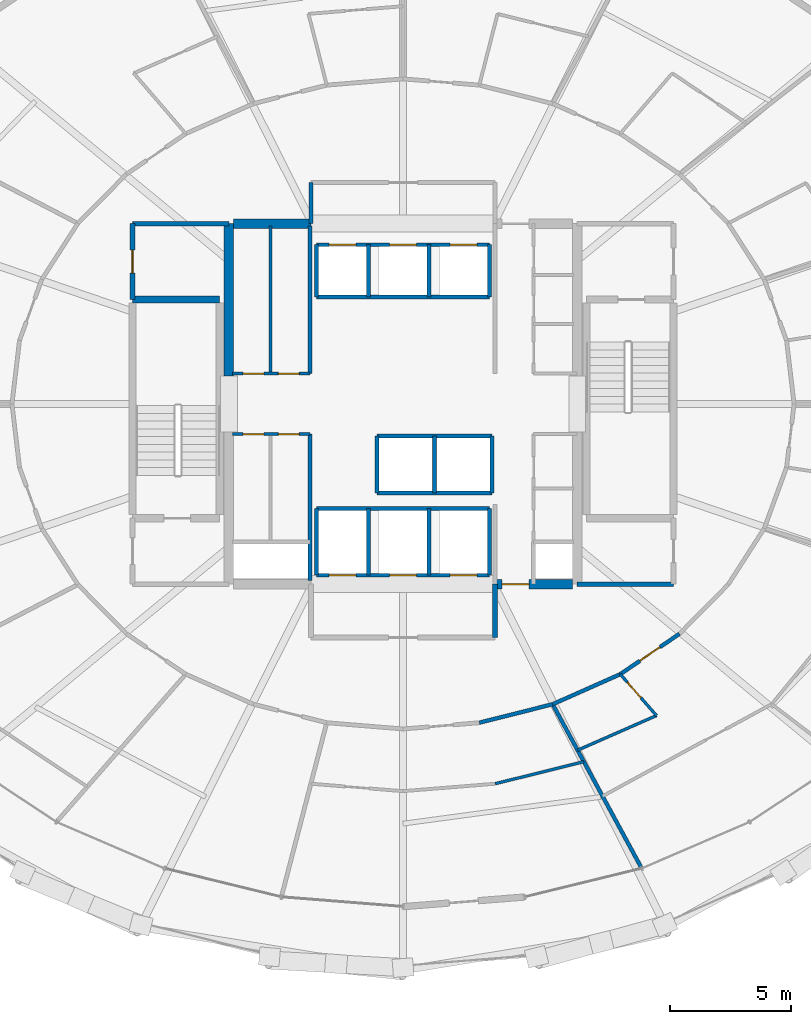
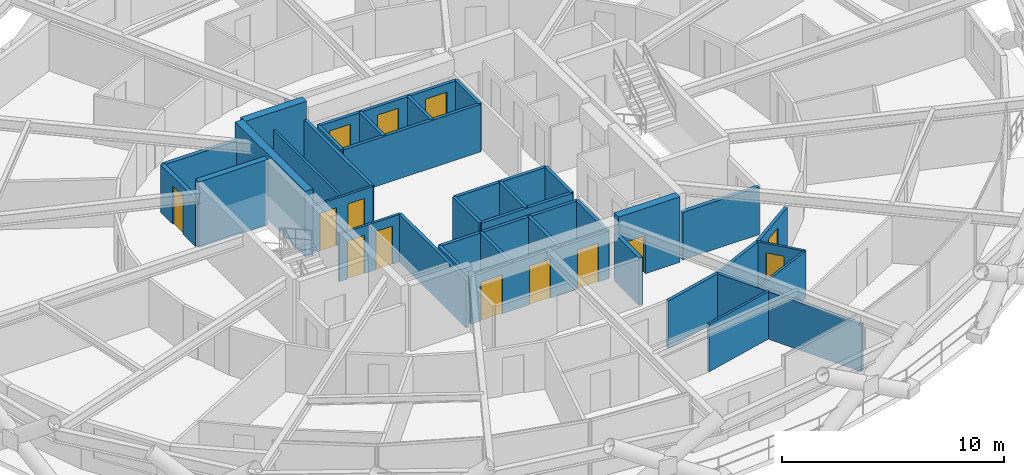
# One storey, part 15 of 20: 38 walls, 14 doors, 14 openings.
"""IFC4 building model written with IfcOpenShell, lengths in metres."""

from ifc_helpers import new_model, si_unit, direction, frame, frame_2d, origin, place, context, subcontext, project, spatial, rectangle, extrude, material, layer, layer_set, type_object, element, fill, save


model = new_model("IFC4")

# Units and contexts
model_context = context("Model", 3, precision=1e-05, world=origin(), true_north=direction((0.0, 1.0)))
body_context = subcontext(model_context, "Body", "Model", "MODEL_VIEW")
ifc_project = project(units=[si_unit("LENGTHUNIT", "METRE"), si_unit("AREAUNIT", "SQUARE_METRE"), si_unit("VOLUMEUNIT", "CUBIC_METRE"), si_unit("PLANEANGLEUNIT", "RADIAN"), si_unit("MASSUNIT", "GRAM", prefix="KILO")], contexts=[model_context])

# Site, building, storey
site_placement = place(None, origin())
site = spatial("IfcSite", under=ifc_project, at=site_placement, CompositionType="ELEMENT")
building_placement = place(site_placement, origin())
building = spatial("IfcBuilding", under=site, at=building_placement, Name="Veldorina Hangang Commons", CompositionType="ELEMENT")
storey_placement = place(building_placement, frame((0.0, 0.0, 48.39990234375)))
storey = spatial("IfcBuildingStorey", under=building, at=storey_placement, Name="L11", CompositionType="ELEMENT", Elevation=48.39990234375)

# Wall
ifc_material_1 = material(Name="Concrete C70/85", Category="concrete")
ifc_layer_1 = layer(ifc_material_1, 0.39990234375)
ifc_layer_set_1 = layer_set([ifc_layer_1], Name="Concrete C70/85")
wall_type_1 = type_object("IfcWallType", Name="CW-RC400-C70", PredefinedType="SHEAR", material=ifc_layer_set_1)
wall_1_placement = place(storey_placement, frame((24.800048828125, 25.14990234375, 0.0), z_axis=(0.0, 0.0, 1.0), x_axis=(0.0, 1.0, 0.0)))
element("IfcWall", 1, at=wall_1_placement, inside=storey, type_object=wall_type_1, Name="L11 W north core shear wall", PredefinedType="SHEAR", context=body_context, shape_type="SweptSolid", body=[
    extrude(rectangle(XDim=6.300048828125, YDim=0.39990234375, at=frame_2d((3.14990234375, 0.0))), origin(), (0.0, 0.0, 1.0), 3.60009765625),
])

# Wall, opening, door
wall_2_placement = place(storey_placement, frame((35.800048828125, 16.550048828125, 0.0), z_axis=(0.0, 0.0, 1.0), x_axis=(1.0, 0.0, 0.0)))
wall_2 = element("IfcWall", 2, at=wall_2_placement, inside=storey, type_object=wall_type_1, Name="L11 south-east core shear wall", PredefinedType="SHEAR", context=body_context, shape_type="SweptSolid", body=[
    extrude(rectangle(XDim=3.199951171875, YDim=0.39990234375, at=frame_2d((1.60009765625, 0.0))), origin(), (0.0, 0.0, 1.0), 3.60009765625),
])
opening_1_placement = place(wall_2_placement, frame((0.300048828125, 0.0, 0.0)))
opening_1 = element("IfcOpeningElement", 3, at=opening_1_placement, cuts=wall_2, Name="Opening D-08", PredefinedType="OPENING", context=body_context, shape_type="SweptSolid", body=[
    extrude(rectangle(XDim=1.10009765625, YDim=2.10009765625, at=frame_2d((0.550048828125, 1.050048828125))), frame((0.0, 0.2099609375, 0.0), z_axis=(0.0, -1.0, 0.0), x_axis=(1.0, 0.0, 0.0)), (0.0, 0.0, 1.0), 0.419921875),
])
ifc_material_2 = material(Name="Steel Fire-Rated Smoke Seal", Category="steel")
door_type_1 = type_object("IfcDoorType", Name="DR-FIRE-1100", OperationType="SINGLE_SWING_RIGHT", PredefinedType="DOOR", material=ifc_material_2)
door_1_placement = place(opening_1_placement, origin())
door_1 = element("IfcDoor", 4, at=door_1_placement, inside=storey, type_object=door_type_1, Name="L11 central lift lobby south corridor door", OperationType="SINGLE_SWING_RIGHT", OverallHeight=2.10009765625, OverallWidth=1.10009765625, PredefinedType="DOOR", context=body_context, shape_type="SweptSolid", body=[
    extrude(rectangle(XDim=1.10009765625, YDim=2.10009765625, at=frame_2d((0.550048828125, 1.050048828125))), frame((0.0, 0.02490234375, 0.0), z_axis=(0.0, -1.0, 0.0), x_axis=(1.0, 0.0, 0.0)), (0.0, 0.0, 1.0), 0.050048828125),
])
fill(opening_1, door_1)

# Walls
wall_3_placement = place(storey_placement, frame((25.0, 31.449951171875, 0.0), z_axis=(0.0, 0.0, 1.0), x_axis=(1.0, 0.0, 0.0)))
element("IfcWall", 5, at=wall_3_placement, inside=storey, type_object=wall_type_1, Name="L11 north-west core shear wall", PredefinedType="SHEAR", context=body_context, shape_type="SweptSolid", body=[
    extrude(rectangle(XDim=3.199951171875, YDim=0.39990234375, at=frame_2d((1.60009765625, 0.0))), origin(), (0.0, 0.0, 1.0), 3.60009765625),
])
ifc_material_3 = material(Name="Concrete C50/60", Category="concrete")
ifc_layer_2 = layer(ifc_material_3, 0.300048828125)
ifc_layer_set_2 = layer_set([ifc_layer_2], Name="Concrete C50/60")
wall_type_2 = type_object("IfcWallType", Name="SW-STAIR-300", PredefinedType="SHEAR", material=ifc_layer_set_2)
wall_4_placement = place(storey_placement, frame((20.820068359375, 28.320068359375, 0.0), z_axis=(0.0, 0.0, 1.0), x_axis=(1.0, 0.0, 0.0)))
element("IfcWall", 6, at=wall_4_placement, inside=storey, type_object=wall_type_2, Name="L11 ST1 north stair shear wall", PredefinedType="SHEAR", context=body_context, shape_type="SweptSolid", body=[
    extrude(rectangle(XDim=3.599853515625, YDim=0.300048828125, at=frame_2d((1.7998046875, 0.0))), origin(), (0.0, 0.0, 1.0), 3.60009765625),
])

# Wall, openings, doors
ifc_material_4 = material(Name="Gypsum Fire-Rated Twin Stud Wall", Category="gypsum")
ifc_layer_3 = layer(ifc_material_4, 0.159912109375)
ifc_layer_set_3 = layer_set([ifc_layer_3], Name="Gypsum Fire-Rated Twin Stud Wall")
wall_type_3 = type_object("IfcWallType", Name="WL-FIRE-160", PredefinedType="SOLIDWALL", material=ifc_layer_set_3)
wall_5_placement = place(storey_placement, frame((28.419921875, 30.580078125, 0.0), z_axis=(0.0, 0.0, 1.0), x_axis=(1.0, 0.0, 0.0)))
wall_5 = element("IfcWall", 7, at=wall_5_placement, inside=storey, type_object=wall_type_3, Name="L11 Low-bank front shaft wall 015", PredefinedType="SOLIDWALL", context=body_context, shape_type="SweptSolid", body=[
    extrude(rectangle(XDim=7.16015625, YDim=0.159912109375, at=frame_2d((3.580078125, 0.0))), origin(), (0.0, 0.0, 1.0), 2.610107421875),
])
opening_2_placement = place(wall_5_placement, frame((0.530029296875, 0.0, 0.0)))
opening_2 = element("IfcOpeningElement", 8, at=opening_2_placement, cuts=wall_5, Name="Opening LD-01", PredefinedType="OPENING", context=body_context, shape_type="SweptSolid", body=[
    extrude(rectangle(XDim=1.10009765625, YDim=2.14990234375, at=frame_2d((0.550048828125, 1.074951171875))), frame((0.0, 0.08984375, 0.0), z_axis=(0.0, -1.0, 0.0), x_axis=(1.0, 0.0, 0.0)), (0.0, 0.0, 1.0), 0.179931640625),
])
opening_3_placement = place(wall_5_placement, frame((3.030029296875, 0.0, 0.0)))
opening_3 = element("IfcOpeningElement", 9, at=opening_3_placement, cuts=wall_5, Name="Opening LD-01", PredefinedType="OPENING", context=body_context, shape_type="SweptSolid", body=[
    extrude(rectangle(XDim=1.10009765625, YDim=2.14990234375, at=frame_2d((0.550048828125, 1.074951171875))), frame((0.0, 0.08984375, 0.0), z_axis=(0.0, -1.0, 0.0), x_axis=(1.0, 0.0, 0.0)), (0.0, 0.0, 1.0), 0.179931640625),
])
opening_4_placement = place(wall_5_placement, frame((5.530029296875, 0.0, 0.0)))
opening_4 = element("IfcOpeningElement", 10, at=opening_4_placement, cuts=wall_5, Name="Opening LD-01", PredefinedType="OPENING", context=body_context, shape_type="SweptSolid", body=[
    extrude(rectangle(XDim=1.10009765625, YDim=2.14990234375, at=frame_2d((0.550048828125, 1.074951171875))), frame((0.0, 0.08984375, 0.0), z_axis=(0.0, -1.0, 0.0), x_axis=(1.0, 0.0, 0.0)), (0.0, 0.0, 1.0), 0.179931640625),
])
ifc_material_5 = material(Name="Stainless Steel Brushed Lift Door", Category="steel")
door_type_2 = type_object("IfcDoorType", Name="DR-LIFT-1100", OperationType="SLIDING_TO_LEFT", PredefinedType="DOOR", material=ifc_material_5)
door_2_placement = place(opening_2_placement, origin())
door_2 = element("IfcDoor", 11, at=door_2_placement, inside=storey, type_object=door_type_2, Name="L11 Lift PL-L1 landing door 006", OperationType="SLIDING_TO_LEFT", OverallHeight=2.14990234375, OverallWidth=1.10009765625, PredefinedType="DOOR", context=body_context, shape_type="SweptSolid", body=[
    extrude(rectangle(XDim=1.10009765625, YDim=2.14990234375, at=frame_2d((0.550048828125, 1.074951171875))), frame((0.0, 0.02490234375, 0.0), z_axis=(0.0, -1.0, 0.0), x_axis=(1.0, 0.0, 0.0)), (0.0, 0.0, 1.0), 0.050048828125),
])
fill(opening_2, door_2)
door_3_placement = place(opening_3_placement, origin())
door_3 = element("IfcDoor", 12, at=door_3_placement, inside=storey, type_object=door_type_2, Name="L11 Lift PL-L2 landing door 007", OperationType="SLIDING_TO_LEFT", OverallHeight=2.14990234375, OverallWidth=1.10009765625, PredefinedType="DOOR", context=body_context, shape_type="SweptSolid", body=[
    extrude(rectangle(XDim=1.10009765625, YDim=2.14990234375, at=frame_2d((0.550048828125, 1.074951171875))), frame((0.0, 0.02490234375, 0.0), z_axis=(0.0, -1.0, 0.0), x_axis=(1.0, 0.0, 0.0)), (0.0, 0.0, 1.0), 0.050048828125),
])
fill(opening_3, door_3)
door_4_placement = place(opening_4_placement, origin())
door_4 = element("IfcDoor", 13, at=door_4_placement, inside=storey, type_object=door_type_2, Name="L11 Lift PL-L3 landing door 008", OperationType="SLIDING_TO_LEFT", OverallHeight=2.14990234375, OverallWidth=1.10009765625, PredefinedType="DOOR", context=body_context, shape_type="SweptSolid", body=[
    extrude(rectangle(XDim=1.10009765625, YDim=2.14990234375, at=frame_2d((0.550048828125, 1.074951171875))), frame((0.0, 0.02490234375, 0.0), z_axis=(0.0, -1.0, 0.0), x_axis=(1.0, 0.0, 0.0)), (0.0, 0.0, 1.0), 0.050048828125),
])
fill(opening_4, door_4)

# Walls
wall_6_placement = place(storey_placement, frame((28.419921875, 28.419921875, 0.0), z_axis=(0.0, 0.0, 1.0), x_axis=(1.0, 0.0, 0.0)))
element("IfcWall", 14, at=wall_6_placement, inside=storey, type_object=wall_type_3, Name="L11 Low-bank rear shaft wall 016", PredefinedType="SOLIDWALL", context=body_context, shape_type="SweptSolid", body=[
    extrude(rectangle(XDim=7.16015625, YDim=0.159912109375, at=frame_2d((3.580078125, 0.0))), origin(), (0.0, 0.0, 1.0), 2.610107421875),
])
for number, where, z_axis, x_axis, name in (
    (15, (28.419921875, 28.419921875, 0.0), (0.0, 0.0, 1.0), (0.0, 1.0, 0.0), "L11 PL-L1 west shaft wall 017"),
    (16, (30.580078125, 28.419921875, 0.0), (0.0, 0.0, 1.0), (0.0, 1.0, 0.0), "L11 PL-L1 east shaft wall 018"),
    (17, (33.080078125, 28.419921875, 0.0), (0.0, 0.0, 1.0), (0.0, 1.0, 0.0), "L11 PL-L2 east shaft wall 019"),
    (18, (35.580078125, 28.419921875, 0.0), (0.0, 0.0, 1.0), (0.0, 1.0, 0.0), "L11 PL-L3 east shaft wall 020"),
):
    element("IfcWall", number, at=place(storey_placement, frame(where, z_axis=z_axis, x_axis=x_axis)), inside=storey, type_object=wall_type_3, Name=name, PredefinedType="SOLIDWALL", context=body_context, shape_type="SweptSolid", body=[
        extrude(rectangle(XDim=2.16015625, YDim=0.159912109375, at=frame_2d((1.080078125, 0.0))), origin(), (0.0, 0.0, 1.0), 2.610107421875),
    ])
for number, where, z_axis, x_axis, name in (
    (19, (30.919921875, 22.679931640625, 0.0), (0.0, 0.0, 1.0), (1.0, 0.0, 0.0), "L11 Shuttle-high front shaft wall 021"),
    (20, (30.919921875, 20.320068359375, 0.0), (0.0, 0.0, 1.0), (1.0, 0.0, 0.0), "L11 Shuttle-high rear shaft wall 022"),
):
    element("IfcWall", number, at=place(storey_placement, frame(where, z_axis=z_axis, x_axis=x_axis)), inside=storey, type_object=wall_type_3, Name=name, PredefinedType="SOLIDWALL", context=body_context, shape_type="SweptSolid", body=[
        extrude(rectangle(XDim=4.760009765625, YDim=0.159912109375, at=frame_2d((2.3798828125, 0.0))), origin(), (0.0, 0.0, 1.0), 2.610107421875),
    ])
for number, where, z_axis, x_axis, name in (
    (21, (30.919921875, 20.320068359375, 0.0), (0.0, 0.0, 1.0), (0.0, 1.0, 0.0), "L11 SL-1 west shaft wall 023"),
    (22, (33.300048828125, 20.320068359375, 0.0), (0.0, 0.0, 1.0), (0.0, 1.0, 0.0), "L11 SL-1 east shaft wall 024"),
    (23, (35.679931640625, 20.320068359375, 0.0), (0.0, 0.0, 1.0), (0.0, 1.0, 0.0), "L11 SL-2 east shaft wall 025"),
):
    element("IfcWall", number, at=place(storey_placement, frame(where, z_axis=z_axis, x_axis=x_axis)), inside=storey, type_object=wall_type_3, Name=name, PredefinedType="SOLIDWALL", context=body_context, shape_type="SweptSolid", body=[
        extrude(rectangle(XDim=2.35986328125, YDim=0.159912109375, at=frame_2d((1.179931640625, 0.0))), origin(), (0.0, 0.0, 1.0), 2.610107421875),
    ])

# Wall, openings, doors
wall_7_placement = place(storey_placement, frame((28.419921875, 16.919921875, 0.0), z_axis=(0.0, 0.0, 1.0), x_axis=(1.0, 0.0, 0.0)))
wall_7 = element("IfcWall", 24, at=wall_7_placement, inside=storey, type_object=wall_type_3, Name="L11 Emergency front shaft wall 026", PredefinedType="SOLIDWALL", context=body_context, shape_type="SweptSolid", body=[
    extrude(rectangle(XDim=7.16015625, YDim=0.159912109375, at=frame_2d((3.580078125, 0.0))), origin(), (0.0, 0.0, 1.0), 2.610107421875),
])
opening_5_placement = place(wall_7_placement, frame((0.530029296875, 0.0, 0.0)))
opening_5 = element("IfcOpeningElement", 25, at=opening_5_placement, cuts=wall_7, Name="Opening LD-03", PredefinedType="OPENING", context=body_context, shape_type="SweptSolid", body=[
    extrude(rectangle(XDim=1.10009765625, YDim=2.14990234375, at=frame_2d((0.550048828125, 1.074951171875))), frame((0.0, 0.08984375, 0.0), z_axis=(0.0, -1.0, 0.0), x_axis=(1.0, 0.0, 0.0)), (0.0, 0.0, 1.0), 0.179931640625),
])
opening_6_placement = place(wall_7_placement, frame((3.030029296875, 0.0, 0.0)))
opening_6 = element("IfcOpeningElement", 26, at=opening_6_placement, cuts=wall_7, Name="Opening LD-03", PredefinedType="OPENING", context=body_context, shape_type="SweptSolid", body=[
    extrude(rectangle(XDim=1.10009765625, YDim=2.14990234375, at=frame_2d((0.550048828125, 1.074951171875))), frame((0.0, 0.08984375, 0.0), z_axis=(0.0, -1.0, 0.0), x_axis=(1.0, 0.0, 0.0)), (0.0, 0.0, 1.0), 0.179931640625),
])
opening_7_placement = place(wall_7_placement, frame((5.530029296875, 0.0, 0.0)))
opening_7 = element("IfcOpeningElement", 27, at=opening_7_placement, cuts=wall_7, Name="Opening LD-03", PredefinedType="OPENING", context=body_context, shape_type="SweptSolid", body=[
    extrude(rectangle(XDim=1.10009765625, YDim=2.14990234375, at=frame_2d((0.550048828125, 1.074951171875))), frame((0.0, 0.08984375, 0.0), z_axis=(0.0, -1.0, 0.0), x_axis=(1.0, 0.0, 0.0)), (0.0, 0.0, 1.0), 0.179931640625),
])
ifc_material_6 = material(Name="Stainless Steel Firefighting Lift Door", Category="steel")
door_type_3 = type_object("IfcDoorType", Name="DR-LIFT-FF1100", OperationType="SLIDING_TO_RIGHT", PredefinedType="DOOR", material=ifc_material_6)
door_5_placement = place(opening_5_placement, origin())
door_5 = element("IfcDoor", 28, at=door_5_placement, inside=storey, type_object=door_type_3, Name="L11 Emergency lift FFL-1 landing door 009", OperationType="SLIDING_TO_RIGHT", OverallHeight=2.14990234375, OverallWidth=1.10009765625, PredefinedType="DOOR", context=body_context, shape_type="SweptSolid", body=[
    extrude(rectangle(XDim=1.10009765625, YDim=2.14990234375, at=frame_2d((0.550048828125, 1.074951171875))), frame((0.0, 0.02490234375, 0.0), z_axis=(0.0, -1.0, 0.0), x_axis=(1.0, 0.0, 0.0)), (0.0, 0.0, 1.0), 0.050048828125),
])
fill(opening_5, door_5)
door_6_placement = place(opening_6_placement, origin())
door_6 = element("IfcDoor", 29, at=door_6_placement, inside=storey, type_object=door_type_3, Name="L11 Emergency lift FFL-2 landing door 010", OperationType="SLIDING_TO_RIGHT", OverallHeight=2.14990234375, OverallWidth=1.10009765625, PredefinedType="DOOR", context=body_context, shape_type="SweptSolid", body=[
    extrude(rectangle(XDim=1.10009765625, YDim=2.14990234375, at=frame_2d((0.550048828125, 1.074951171875))), frame((0.0, 0.02490234375, 0.0), z_axis=(0.0, -1.0, 0.0), x_axis=(1.0, 0.0, 0.0)), (0.0, 0.0, 1.0), 0.050048828125),
])
fill(opening_6, door_6)
door_7_placement = place(opening_7_placement, origin())
door_7 = element("IfcDoor", 30, at=door_7_placement, inside=storey, type_object=door_type_3, Name="L11 Emergency lift EVL-1 landing door 011", OperationType="SLIDING_TO_RIGHT", OverallHeight=2.14990234375, OverallWidth=1.10009765625, PredefinedType="DOOR", context=body_context, shape_type="SweptSolid", body=[
    extrude(rectangle(XDim=1.10009765625, YDim=2.14990234375, at=frame_2d((0.550048828125, 1.074951171875))), frame((0.0, 0.02490234375, 0.0), z_axis=(0.0, -1.0, 0.0), x_axis=(1.0, 0.0, 0.0)), (0.0, 0.0, 1.0), 0.050048828125),
])
fill(opening_7, door_7)

# Walls
wall_8_placement = place(storey_placement, frame((28.419921875, 19.679931640625, 0.0), z_axis=(0.0, 0.0, 1.0), x_axis=(1.0, 0.0, 0.0)))
element("IfcWall", 31, at=wall_8_placement, inside=storey, type_object=wall_type_3, Name="L11 Emergency rear shaft wall 027", PredefinedType="SOLIDWALL", context=body_context, shape_type="SweptSolid", body=[
    extrude(rectangle(XDim=7.16015625, YDim=0.159912109375, at=frame_2d((3.580078125, 0.0))), origin(), (0.0, 0.0, 1.0), 2.610107421875),
])
for number, where, z_axis, x_axis, name in (
    (32, (28.419921875, 16.919921875, 0.0), (0.0, 0.0, 1.0), (0.0, 1.0, 0.0), "L11 FFL-1 west shaft wall 028"),
    (33, (30.580078125, 16.919921875, 0.0), (0.0, 0.0, 1.0), (0.0, 1.0, 0.0), "L11 FFL-1 east shaft wall 029"),
    (34, (33.080078125, 16.919921875, 0.0), (0.0, 0.0, 1.0), (0.0, 1.0, 0.0), "L11 FFL-2 east shaft wall 030"),
    (35, (35.580078125, 16.919921875, 0.0), (0.0, 0.0, 1.0), (0.0, 1.0, 0.0), "L11 EVL-1 east shaft wall 031"),
):
    element("IfcWall", number, at=place(storey_placement, frame(where, z_axis=z_axis, x_axis=x_axis)), inside=storey, type_object=wall_type_3, Name=name, PredefinedType="SOLIDWALL", context=body_context, shape_type="SweptSolid", body=[
        extrude(rectangle(XDim=2.760009765625, YDim=0.159912109375, at=frame_2d((1.3798828125, 0.0))), origin(), (0.0, 0.0, 1.0), 2.610107421875),
    ])
wall_9_placement = place(storey_placement, frame((28.199951171875, 31.449951171875, 0.0), z_axis=(0.0, 0.0, 1.0), x_axis=(0.0, 1.0, 0.0)))
element("IfcWall", 36, at=wall_9_placement, inside=storey, type_object=wall_type_3, Name="L11 North lobby west wall 032", PredefinedType="SOLIDWALL", context=body_context, shape_type="SweptSolid", body=[
    extrude(rectangle(XDim=1.699951171875, YDim=0.159912109375, at=frame_2d((0.85009765625, 0.0))), origin(), (0.0, 0.0, 1.0), 2.610107421875),
])
wall_10_placement = place(storey_placement, frame((28.14990234375, 16.699951171875, 0.0), z_axis=(0.0, 0.0, 1.0), x_axis=(0.0, 1.0, 0.0)))
element("IfcWall", 37, at=wall_10_placement, inside=storey, type_object=wall_type_3, Name="L11 SW core inner wall 036", PredefinedType="SOLIDWALL", context=body_context, shape_type="SweptSolid", body=[
    extrude(rectangle(XDim=6.050048828125, YDim=0.159912109375, at=frame_2d((3.02490234375, 0.0))), origin(), (0.0, 0.0, 1.0), 2.610107421875),
])
wall_11_placement = place(storey_placement, frame((28.14990234375, 25.25, 0.0), z_axis=(0.0, 0.0, 1.0), x_axis=(0.0, 1.0, 0.0)))
element("IfcWall", 38, at=wall_11_placement, inside=storey, type_object=wall_type_3, Name="L11 NW core inner wall 038", PredefinedType="SOLIDWALL", context=body_context, shape_type="SweptSolid", body=[
    extrude(rectangle(XDim=6.10009765625, YDim=0.159912109375, at=frame_2d((3.050048828125, 0.0))), origin(), (0.0, 0.0, 1.0), 2.610107421875),
])
wall_12_placement = place(storey_placement, frame((35.153076171875, 10.82421875, 0.0), z_axis=(0.0, 0.0, 1.0), x_axis=(0.969653665365, 0.244482656326, 0.0)))
element("IfcWall", 39, at=wall_12_placement, inside=storey, type_object=wall_type_3, Name="L11 Corridor outer wall 25 075", PredefinedType="SOLIDWALL", context=body_context, shape_type="SweptSolid", body=[
    extrude(rectangle(XDim=3.126708984375, YDim=0.159912109375, at=frame_2d((1.5634765625, 0.0))), origin(), (0.0, 0.0, 1.0), 2.610107421875),
])
wall_13_placement = place(storey_placement, frame((38.184814453125, 11.588623046875, 0.0), z_axis=(0.0, 0.0, 1.0), x_axis=(0.913860932409, 0.406027334321, 0.0)))
element("IfcWall", 40, at=wall_13_placement, inside=storey, type_object=wall_type_3, Name="L11 Corridor outer wall 26 076", PredefinedType="SOLIDWALL", context=body_context, shape_type="SweptSolid", body=[
    extrude(rectangle(XDim=3.0576171875, YDim=0.159912109375, at=frame_2d((1.52880859375, 0.0))), origin(), (0.0, 0.0, 1.0), 2.610107421875),
])

# Wall, opening, door
wall_14_placement = place(storey_placement, frame((40.97900390625, 12.830078125, 0.0), z_axis=(0.0, 0.0, 1.0), x_axis=(0.826112340767, 0.563505457323, 0.0)))
wall_14 = element("IfcWall", 41, at=wall_14_placement, inside=storey, type_object=wall_type_3, Name="L11 Corridor outer wall 27 077", PredefinedType="SOLIDWALL", context=body_context, shape_type="SweptSolid", body=[
    extrude(rectangle(XDim=2.96484375, YDim=0.159912109375, at=frame_2d((1.482421875, 0.0))), origin(), (0.0, 0.0, 1.0), 2.610107421875),
])
opening_8_placement = place(wall_14_placement, frame((0.982421875, 0.0, 0.0)))
opening_8 = element("IfcOpeningElement", 42, at=opening_8_placement, cuts=wall_14, Name="Opening D-06", PredefinedType="OPENING", context=body_context, shape_type="SweptSolid", body=[
    extrude(rectangle(XDim=1.0, YDim=2.10009765625, at=frame_2d((0.5, 1.050048828125))), frame((0.0, 0.08984375, 0.0), z_axis=(0.0, -1.0, 0.0), x_axis=(1.0, 0.0, 0.0)), (0.0, 0.0, 1.0), 0.179931640625),
])
ifc_material_7 = material(Name="Timber Fire-Rated Entrance Core", Category="wood")
door_type_4 = type_object("IfcDoorType", Name="DR-UNIT-1000", OperationType="SINGLE_SWING_LEFT", PredefinedType="DOOR", material=ifc_material_7)
door_8_placement = place(opening_8_placement, origin())
door_8 = element("IfcDoor", 43, at=door_8_placement, inside=storey, type_object=door_type_4, Name="L11 Cluster 2 entrance door 025", OperationType="SINGLE_SWING_LEFT", OverallHeight=2.10009765625, OverallWidth=1.0, PredefinedType="DOOR", context=body_context, shape_type="SweptSolid", body=[
    extrude(rectangle(XDim=1.0, YDim=2.10009765625, at=frame_2d((0.5, 1.050048828125))), frame((0.0, 0.02490234375, 0.0), z_axis=(0.0, -1.0, 0.0), x_axis=(1.0, 0.0, 0.0)), (0.0, 0.0, 1.0), 0.050048828125),
])
fill(opening_8, door_8)

# Wall
wall_15_placement = place(storey_placement, frame((38.184814453125, 11.588623046875, 0.0), z_axis=(0.0, 0.0, 1.0), x_axis=(0.476776382482, -0.87902461917, 0.0)))
element("IfcWall", 44, at=wall_15_placement, inside=storey, type_object=wall_type_3, Name="L11 Unit party wall 26 086", PredefinedType="SOLIDWALL", context=body_context, shape_type="SweptSolid", body=[
    extrude(rectangle(XDim=7.668701171875, YDim=0.159912109375, at=frame_2d((3.83447265625, 0.0))), origin(), (0.0, 0.0, 1.0), 2.610107421875),
])

# Wall, opening, door
ifc_material_8 = material(Name="Concrete Blockwork Fire Wall C30/37", Category="masonry")
ifc_layer_4 = layer(ifc_material_8, 0.199951171875)
ifc_layer_set_4 = layer_set([ifc_layer_4], Name="Concrete Blockwork Fire Wall C30/37")
wall_type_4 = type_object("IfcWallType", Name="WL-FIRE-200", PredefinedType="SOLIDWALL", material=ifc_layer_set_4)
wall_16_placement = place(storey_placement, frame((20.820068359375, 28.320068359375, 0.0), z_axis=(0.0, 0.0, 1.0), x_axis=(0.0, 1.0, 0.0)))
wall_16 = element("IfcWall", 45, at=wall_16_placement, inside=storey, type_object=wall_type_4, Name="L11 NW core room outer wall 005", PredefinedType="SOLIDWALL", context=body_context, shape_type="SweptSolid", body=[
    extrude(rectangle(XDim=3.1298828125, YDim=0.199951171875, at=frame_2d((1.56494140625, 0.0))), origin(), (0.0, 0.0, 1.0), 2.610107421875),
])
opening_9_placement = place(wall_16_placement, frame((1.090087890625, 0.0, 0.0)))
opening_9 = element("IfcOpeningElement", 46, at=opening_9_placement, cuts=wall_16, Name="Opening D-04", PredefinedType="OPENING", context=body_context, shape_type="SweptSolid", body=[
    extrude(rectangle(XDim=0.949951171875, YDim=2.10009765625, at=frame_2d((0.47509765625, 1.050048828125))), frame((0.0, 0.10986328125, 0.0), z_axis=(0.0, -1.0, 0.0), x_axis=(1.0, 0.0, 0.0)), (0.0, 0.0, 1.0), 0.219970703125),
])
ifc_material_9 = material(Name="Timber Accessible Flush Leaf", Category="wood")
door_type_5 = type_object("IfcDoorType", Name="DR-ACC-950", OperationType="SINGLE_SWING_LEFT", PredefinedType="DOOR", material=ifc_material_9)
door_9_placement = place(opening_9_placement, origin())
door_9 = element("IfcDoor", 47, at=door_9_placement, inside=storey, type_object=door_type_5, Name="L11 NW core WC door 003", OperationType="SINGLE_SWING_LEFT", OverallHeight=2.10009765625, OverallWidth=0.949951171875, PredefinedType="DOOR", context=body_context, shape_type="SweptSolid", body=[
    extrude(rectangle(XDim=0.949951171875, YDim=2.10009765625, at=frame_2d((0.47509765625, 1.050048828125))), frame((0.0, 0.02490234375, 0.0), z_axis=(0.0, -1.0, 0.0), x_axis=(1.0, 0.0, 0.0)), (0.0, 0.0, 1.0), 0.050048828125),
])
fill(opening_9, door_9)

# Walls
for number, where, z_axis, x_axis, name in (
    (48, (20.820068359375, 31.449951171875, 0.0), (0.0, 0.0, 1.0), (1.0, 0.0, 0.0), "L11 NW core room north wall 006"),
    (49, (39.199951171875, 16.550048828125, 0.0), (0.0, 0.0, 1.0), (1.0, 0.0, 0.0), "L11 SE core room south wall 008"),
):
    element("IfcWall", number, at=place(storey_placement, frame(where, z_axis=z_axis, x_axis=x_axis)), inside=storey, type_object=wall_type_4, Name=name, PredefinedType="SOLIDWALL", context=body_context, shape_type="SweptSolid", body=[
        extrude(rectangle(XDim=3.97998046875, YDim=0.199951171875, at=frame_2d((1.989990234375, 0.0))), origin(), (0.0, 0.0, 1.0), 2.610107421875),
    ])
wall_17_placement = place(storey_placement, frame((35.800048828125, 14.35009765625, 0.0), z_axis=(0.0, 0.0, 1.0), x_axis=(0.0, 1.0, 0.0)))
element("IfcWall", 50, at=wall_17_placement, inside=storey, type_object=wall_type_4, Name="L11 FF lobby east wall 013", PredefinedType="SOLIDWALL", context=body_context, shape_type="SweptSolid", body=[
    extrude(rectangle(XDim=2.199951171875, YDim=0.199951171875, at=frame_2d((1.10009765625, 0.0))), origin(), (0.0, 0.0, 1.0), 2.610107421875),
])

# Wall, openings, doors
ifc_material_10 = material(Name="Gypsum Acoustic Stud Partition", Category="gypsum")
ifc_layer_5 = layer(ifc_material_10, 0.1201171875)
ifc_layer_set_5 = layer_set([ifc_layer_5], Name="Gypsum Acoustic Stud Partition")
wall_type_5 = type_object("IfcWallType", Name="WL-PART-120", PredefinedType="PARTITIONING", material=ifc_layer_set_5)
wall_18_placement = place(storey_placement, frame((24.949951171875, 25.25, 0.0), z_axis=(0.0, 0.0, 1.0), x_axis=(1.0, 0.0, 0.0)))
wall_18 = element("IfcWall", 51, at=wall_18_placement, inside=storey, type_object=wall_type_5, Name="L11 NW service south wall 039", PredefinedType="PARTITIONING", context=body_context, shape_type="SweptSolid", body=[
    extrude(rectangle(XDim=3.199951171875, YDim=0.1201171875, at=frame_2d((1.60009765625, 0.0))), origin(), (0.0, 0.0, 1.0), 2.610107421875),
])
opening_10_placement = place(wall_18_placement, frame((0.43994140625, 0.0, 0.0)))
opening_10 = element("IfcOpeningElement", 52, at=opening_10_placement, cuts=wall_18, Name="Opening D-01", PredefinedType="OPENING", context=body_context, shape_type="SweptSolid", body=[
    extrude(rectangle(XDim=0.860107421875, YDim=2.10009765625, at=frame_2d((0.43017578125, 1.050048828125))), frame((0.0, 0.070068359375, 0.0), z_axis=(0.0, -1.0, 0.0), x_axis=(1.0, 0.0, 0.0)), (0.0, 0.0, 1.0), 0.14013671875),
])
opening_11_placement = place(wall_18_placement, frame((1.89990234375, 0.0, 0.0)))
opening_11 = element("IfcOpeningElement", 53, at=opening_11_placement, cuts=wall_18, Name="Opening D-01", PredefinedType="OPENING", context=body_context, shape_type="SweptSolid", body=[
    extrude(rectangle(XDim=0.860107421875, YDim=2.10009765625, at=frame_2d((0.43017578125, 1.050048828125))), frame((0.0, 0.070068359375, 0.0), z_axis=(0.0, -1.0, 0.0), x_axis=(1.0, 0.0, 0.0)), (0.0, 0.0, 1.0), 0.14013671875),
])
ifc_material_11 = material(Name="Timber Moisture-Resistant Core", Category="wood")
door_type_6 = type_object("IfcDoorType", Name="DR-WET-860", OperationType="SINGLE_SWING_LEFT", PredefinedType="DOOR", material=ifc_material_11)
door_10_placement = place(opening_10_placement, origin())
door_10 = element("IfcDoor", 54, at=door_10_placement, inside=storey, type_object=door_type_6, Name="L11 Linen west door 013", OperationType="SINGLE_SWING_LEFT", OverallHeight=2.10009765625, OverallWidth=0.860107421875, PredefinedType="DOOR", context=body_context, shape_type="SweptSolid", body=[
    extrude(rectangle(XDim=0.860107421875, YDim=2.10009765625, at=frame_2d((0.43017578125, 1.050048828125))), frame((0.0, 0.02490234375, 0.0), z_axis=(0.0, -1.0, 0.0), x_axis=(1.0, 0.0, 0.0)), (0.0, 0.0, 1.0), 0.050048828125),
])
fill(opening_10, door_10)
door_11_placement = place(opening_11_placement, origin())
door_11 = element("IfcDoor", 55, at=door_11_placement, inside=storey, type_object=door_type_6, Name="L11 Data closet door 014", OperationType="SINGLE_SWING_RIGHT", OverallHeight=2.10009765625, OverallWidth=0.860107421875, PredefinedType="DOOR", context=body_context, shape_type="SweptSolid", body=[
    extrude(rectangle(XDim=0.860107421875, YDim=2.10009765625, at=frame_2d((0.43017578125, 1.050048828125))), frame((0.0, 0.02490234375, 0.0), z_axis=(0.0, -1.0, 0.0), x_axis=(1.0, 0.0, 0.0)), (0.0, 0.0, 1.0), 0.050048828125),
])
fill(opening_11, door_11)

wall_19_placement = place(storey_placement, frame((24.949951171875, 22.75, 0.0), z_axis=(0.0, 0.0, 1.0), x_axis=(1.0, 0.0, 0.0)))
wall_19 = element("IfcWall", 56, at=wall_19_placement, inside=storey, type_object=wall_type_5, Name="L11 SW service north wall 040", PredefinedType="PARTITIONING", context=body_context, shape_type="SweptSolid", body=[
    extrude(rectangle(XDim=3.199951171875, YDim=0.1201171875, at=frame_2d((1.60009765625, 0.0))), origin(), (0.0, 0.0, 1.0), 2.610107421875),
])
opening_12_placement = place(wall_19_placement, frame((0.43994140625, 0.0, 0.0)))
opening_12 = element("IfcOpeningElement", 57, at=opening_12_placement, cuts=wall_19, Name="Opening D-01", PredefinedType="OPENING", context=body_context, shape_type="SweptSolid", body=[
    extrude(rectangle(XDim=0.860107421875, YDim=2.10009765625, at=frame_2d((0.43017578125, 1.050048828125))), frame((0.0, 0.070068359375, 0.0), z_axis=(0.0, -1.0, 0.0), x_axis=(1.0, 0.0, 0.0)), (0.0, 0.0, 1.0), 0.14013671875),
])
opening_13_placement = place(wall_19_placement, frame((1.89990234375, 0.0, 0.0)))
opening_13 = element("IfcOpeningElement", 58, at=opening_13_placement, cuts=wall_19, Name="Opening D-01", PredefinedType="OPENING", context=body_context, shape_type="SweptSolid", body=[
    extrude(rectangle(XDim=0.860107421875, YDim=2.10009765625, at=frame_2d((0.43017578125, 1.050048828125))), frame((0.0, 0.070068359375, 0.0), z_axis=(0.0, -1.0, 0.0), x_axis=(1.0, 0.0, 0.0)), (0.0, 0.0, 1.0), 0.14013671875),
])
door_12_placement = place(opening_12_placement, origin())
door_12 = element("IfcDoor", 59, at=door_12_placement, inside=storey, type_object=door_type_6, Name="L11 Cleaners door 015", OperationType="SINGLE_SWING_LEFT", OverallHeight=2.10009765625, OverallWidth=0.860107421875, PredefinedType="DOOR", context=body_context, shape_type="SweptSolid", body=[
    extrude(rectangle(XDim=0.860107421875, YDim=2.10009765625, at=frame_2d((0.43017578125, 1.050048828125))), frame((0.0, 0.02490234375, 0.0), z_axis=(0.0, -1.0, 0.0), x_axis=(1.0, 0.0, 0.0)), (0.0, 0.0, 1.0), 0.050048828125),
])
fill(opening_12, door_12)
door_13_placement = place(opening_13_placement, origin())
door_13 = element("IfcDoor", 60, at=door_13_placement, inside=storey, type_object=door_type_6, Name="L11 Metering door 016", OperationType="SINGLE_SWING_RIGHT", OverallHeight=2.10009765625, OverallWidth=0.860107421875, PredefinedType="DOOR", context=body_context, shape_type="SweptSolid", body=[
    extrude(rectangle(XDim=0.860107421875, YDim=2.10009765625, at=frame_2d((0.43017578125, 1.050048828125))), frame((0.0, 0.02490234375, 0.0), z_axis=(0.0, -1.0, 0.0), x_axis=(1.0, 0.0, 0.0)), (0.0, 0.0, 1.0), 0.050048828125),
])
fill(opening_13, door_13)

# Walls
wall_20_placement = place(storey_placement, frame((26.530029296875, 25.25, 0.0), z_axis=(0.0, 0.0, 1.0), x_axis=(0.0, 1.0, 0.0)))
element("IfcWall", 61, at=wall_20_placement, inside=storey, type_object=wall_type_5, Name="L11 NW vertical split 045", PredefinedType="PARTITIONING", context=body_context, shape_type="SweptSolid", body=[
    extrude(rectangle(XDim=6.10009765625, YDim=0.1201171875, at=frame_2d((3.050048828125, 0.0))), origin(), (0.0, 0.0, 1.0), 2.610107421875),
])
wall_21_placement = place(storey_placement, frame((35.8095703125, 8.302978515625, 0.0), z_axis=(0.0, 0.0, 1.0), x_axis=(0.970449874904, 0.241302797952, 0.0)))
element("IfcWall", 62, at=wall_21_placement, inside=storey, type_object=wall_type_5, Name="L11 Lounge alcove split 2 085", PredefinedType="PARTITIONING", context=body_context, shape_type="SweptSolid", body=[
    extrude(rectangle(XDim=3.77490234375, YDim=0.1201171875, at=frame_2d((1.887451171875, 0.0))), origin(), (0.0, 0.0, 1.0), 2.610107421875),
])
wall_22_placement = place(storey_placement, frame((39.21533203125, 9.688720703125, 0.0), z_axis=(0.0, 0.0, 1.0), x_axis=(0.915615092878, 0.40205596836, 0.0)))
element("IfcWall", 63, at=wall_22_placement, inside=storey, type_object=wall_type_5, Name="L11 Cluster 2 bath front wall 087", PredefinedType="PARTITIONING", context=body_context, shape_type="SweptSolid", body=[
    extrude(rectangle(XDim=3.560302734375, YDim=0.1201171875, at=frame_2d((1.7802734375, 0.0))), origin(), (0.0, 0.0, 1.0), 2.610107421875),
])

# Wall, opening, door
wall_23_placement = place(storey_placement, frame((40.97900390625, 12.830078125, 0.0), z_axis=(0.0, 0.0, 1.0), x_axis=(0.658474178061, -0.752603319703, 0.0)))
wall_23 = element("IfcWall", 64, at=wall_23_placement, inside=storey, type_object=wall_type_5, Name="L11 Cluster 2 bath side wall 088", PredefinedType="PARTITIONING", context=body_context, shape_type="SweptSolid", body=[
    extrude(rectangle(XDim=2.27197265625, YDim=0.1201171875, at=frame_2d((1.135986328125, 0.0))), origin(), (0.0, 0.0, 1.0), 2.610107421875),
])
opening_14_placement = place(wall_23_placement, frame((0.43994140625, 0.0, 0.0)))
opening_14 = element("IfcOpeningElement", 65, at=opening_14_placement, cuts=wall_23, Name="Opening D-01", PredefinedType="OPENING", context=body_context, shape_type="SweptSolid", body=[
    extrude(rectangle(XDim=0.860107421875, YDim=2.10009765625, at=frame_2d((0.43017578125, 1.050048828125))), frame((0.0, 0.070068359375, 0.0), z_axis=(0.0, -1.0, 0.0), x_axis=(1.0, 0.0, 0.0)), (0.0, 0.0, 1.0), 0.14013671875),
])
door_14_placement = place(opening_14_placement, origin())
door_14 = element("IfcDoor", 66, at=door_14_placement, inside=storey, type_object=door_type_6, Name="L11 Cluster 2 shared bathroom door 024", OperationType="SINGLE_SWING_RIGHT", OverallHeight=2.10009765625, OverallWidth=0.860107421875, PredefinedType="DOOR", context=body_context, shape_type="SweptSolid", body=[
    extrude(rectangle(XDim=0.860107421875, YDim=2.10009765625, at=frame_2d((0.43017578125, 1.050048828125))), frame((0.0, 0.02490234375, 0.0), z_axis=(0.0, -1.0, 0.0), x_axis=(1.0, 0.0, 0.0)), (0.0, 0.0, 1.0), 0.050048828125),
])
fill(opening_14, door_14)

save(model, "model.ifc")
